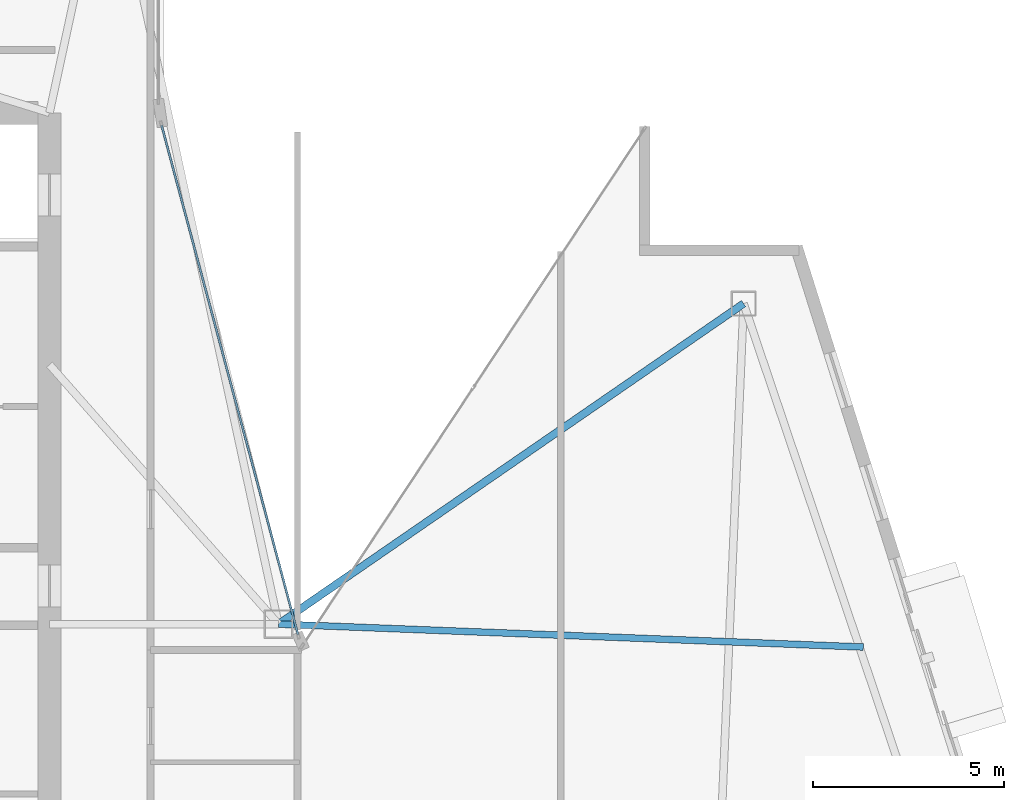
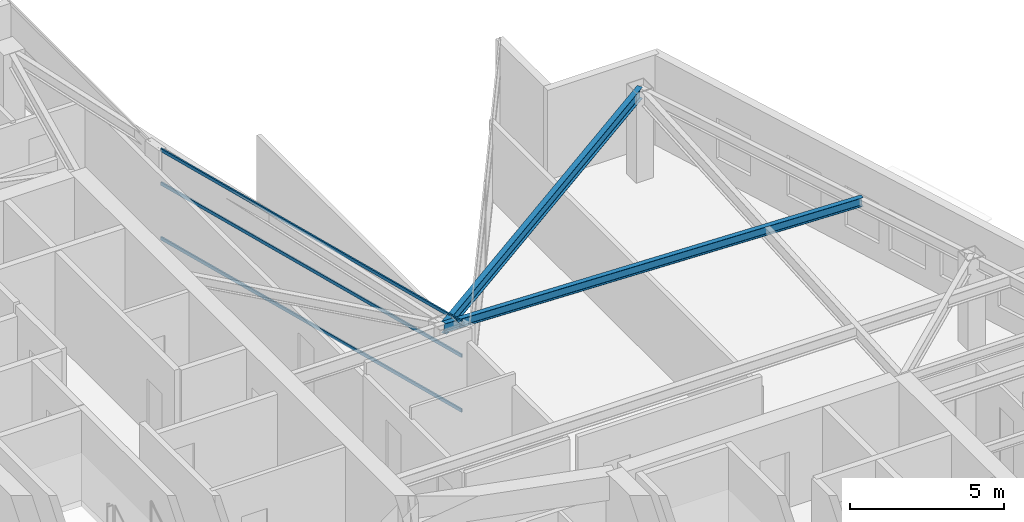
# One storey, part 12 of 28: 3 members, 2 beams, 1 element without a shape of its own.
"""IFC4 building model written with IfcOpenShell, lengths in metres."""

from ifc_helpers import new_model, si_unit, direction, frame, origin, origin_2d, place, context, subcontext, project, spatial, hollow_rectangle, i_section, extrude, material, layer, layer_set, material_profile, profile_set, type_object, element, aggregate, save


model = new_model("IFC4")

# Units and contexts
model_context = context("Model", 3, precision=1e-05, world=origin(), true_north=direction((0.0, 1.0)))
body_context = subcontext(model_context, "Body", "Model", "MODEL_VIEW")
ifc_project = project(units=[si_unit("LENGTHUNIT", "METRE"), si_unit("AREAUNIT", "SQUARE_METRE"), si_unit("VOLUMEUNIT", "CUBIC_METRE"), si_unit("PLANEANGLEUNIT", "RADIAN"), si_unit("MASSUNIT", "GRAM", prefix="KILO")], contexts=[model_context])

# Site, building, storey
site_placement = place(None, origin())
site = spatial("IfcSite", under=ifc_project, at=site_placement, CompositionType="ELEMENT")
building_placement = place(site_placement, origin())
building = spatial("IfcBuilding", under=site, at=building_placement, Name="Calvorn Quay Hotel", CompositionType="ELEMENT")
storey_placement = place(building_placement, frame((0.0, 0.0, 271.10009765625)))
storey = spatial("IfcBuildingStorey", under=building, at=storey_placement, Name="L67", CompositionType="ELEMENT", Elevation=271.10009765625)

# Beams
ifc_material_1 = material(Name="Steel Q355B", Category="steel")
ifc_material_profile_1 = material_profile(ifc_material_1, i_section(OverallWidth=0.175048828125, OverallDepth=0.35009765625, WebThickness=0.007080078125, FlangeThickness=0.010986328125, FilletRadius=0.013916015625, at=origin_2d()), Name="HN350x175x7x11")
ifc_profile_set_1 = profile_set([ifc_material_profile_1], Name="Steel Q355B")
beam_type_1 = type_object("IfcBeamType", Name="BM-JOIST-SEC", PredefinedType="JOIST", material=ifc_profile_set_1)
beam_1_placement = place(storey_placement, frame((21.0, 25.0, 3.364990234375), z_axis=(0.999234392811, -0.039123244039, 0.0), x_axis=(0.039123244039, 0.999234392811, 0.0)))
element("IfcBeam", 1, at=beam_1_placement, inside=storey, type_object=beam_type_1, Name="Beam BJ-L67-E3", PredefinedType="JOIST", context=body_context, shape_type="SweptSolid", body=[
    extrude(i_section(OverallWidth=0.175048828125, OverallDepth=0.35009765625, WebThickness=0.007080078125, FlangeThickness=0.010986328125, FilletRadius=0.013916015625, at=origin_2d()), origin(), (0.0, 0.0, 1.0), 15.338623046875),
])
ifc_material_2 = material(Name="Steel Q355B", Category="steel")
ifc_material_profile_2 = material_profile(ifc_material_2, i_section(OverallWidth=0.199951171875, OverallDepth=0.449951171875, WebThickness=0.009033203125, FlangeThickness=0.013916015625, FilletRadius=0.01611328125, at=origin_2d()), Name="HN450x200x9x14")
ifc_profile_set_2 = profile_set([ifc_material_profile_2], Name="Steel Q355B")
beam_type_2 = type_object("IfcBeamType", Name="BM-SPANDREL-Z3", PredefinedType="SPANDREL", material=ifc_profile_set_2)
beam_2_placement = place(storey_placement, frame((33.19091796875, 33.39990234375, 3.31494140625), z_axis=(-0.823453496714, -0.567383766731, 0.0), x_axis=(0.567383766731, -0.823453496714, 0.0)))
element("IfcBeam", 2, at=beam_2_placement, inside=storey, type_object=beam_type_2, Name="Beam BSP-L67-E3", PredefinedType="SPANDREL", context=body_context, shape_type="SweptSolid", body=[
    extrude(i_section(OverallWidth=0.199951171875, OverallDepth=0.449951171875, WebThickness=0.009033203125, FlangeThickness=0.013916015625, FilletRadius=0.01611328125, at=origin_2d()), origin(), (0.0, 0.0, 1.0), 14.8046875),
])

# Curtain wall, members
ifc_material_3 = material(Name="Champagne Bronze Anodised Aluminium and Low-E Glass", Category="aluminium")
ifc_layer = layer(ifc_material_3, 0.219970703125)
ifc_layer_set = layer_set([ifc_layer], Name="CW-SYS-Z4")
curtain_wall_type = type_object("IfcCurtainWallType", Name="CW-SYS-Z4", PredefinedType="NOTDEFINED", material=ifc_layer_set)
curtain_wall_placement = place(storey_placement, origin())
curtain_wall = element("IfcCurtainWall", 3, at=curtain_wall_placement, inside=storey, type_object=curtain_wall_type, Name="Inner Court Curtain Wall L67-IC1", PredefinedType="NOTDEFINED")
ifc_material_4 = material(Name="Champagne Bronze Anodised Aluminium 6063-T6", Category="aluminium")
ifc_material_profile_3 = material_profile(ifc_material_4, hollow_rectangle(XDim=0.054931640625, YDim=0.1298828125, WallThickness=0.003173828125, at=origin_2d()), Name="ALU-T130x55x3.2")
ifc_profile_set_3 = profile_set([ifc_material_profile_3], Name="Champagne Bronze Anodised Aluminium 6063-T6")
member_type = type_object("IfcMemberType", Name="CW-SYS-Z4-TRN", PredefinedType="USERDEFINED", material=ifc_profile_set_3)
member_1_placement = place(storey_placement, frame((21.512451171875, 24.72802734375, 0.02978515625), z_axis=(-0.258781136883, 0.965935982969, 0.0), x_axis=(-0.965935982969, -0.258781136883, 0.0)))
member_1 = element("IfcMember", 4, at=member_1_placement, type_object=member_type, Name="CW-L67-IC1 transom 1.1", ObjectType="TRANSOM", PredefinedType="USERDEFINED", context=body_context, shape_type="SweptSolid", body=[
    extrude(hollow_rectangle(XDim=0.054931640625, YDim=0.1298828125, WallThickness=0.003173828125, at=origin_2d()), origin(), (0.0, 0.0, 1.0), 13.814453125),
])
member_2_placement = place(storey_placement, frame((21.512451171875, 24.72802734375, 2.199951171875), z_axis=(-0.258781136883, 0.965935982969, 0.0), x_axis=(-0.965935982969, -0.258781136883, 0.0)))
member_2 = element("IfcMember", 5, at=member_2_placement, type_object=member_type, Name="CW-L67-IC1 transom 1.2", ObjectType="TRANSOM", PredefinedType="USERDEFINED", context=body_context, shape_type="SweptSolid", body=[
    extrude(hollow_rectangle(XDim=0.054931640625, YDim=0.1298828125, WallThickness=0.003173828125, at=origin_2d()), origin(), (0.0, 0.0, 1.0), 13.814453125),
])
member_3_placement = place(storey_placement, frame((21.512451171875, 24.72802734375, 3.52978515625), z_axis=(-0.258781136883, 0.965935982969, 0.0), x_axis=(-0.965935982969, -0.258781136883, 0.0)))
member_3 = element("IfcMember", 6, at=member_3_placement, type_object=member_type, Name="CW-L67-IC1 transom 1.3", ObjectType="TRANSOM", PredefinedType="USERDEFINED", context=body_context, shape_type="SweptSolid", body=[
    extrude(hollow_rectangle(XDim=0.054931640625, YDim=0.1298828125, WallThickness=0.003173828125, at=origin_2d()), origin(), (0.0, 0.0, 1.0), 13.814453125),
])
aggregate(curtain_wall, [member_1, member_2, member_3])

save(model, "model.ifc")
